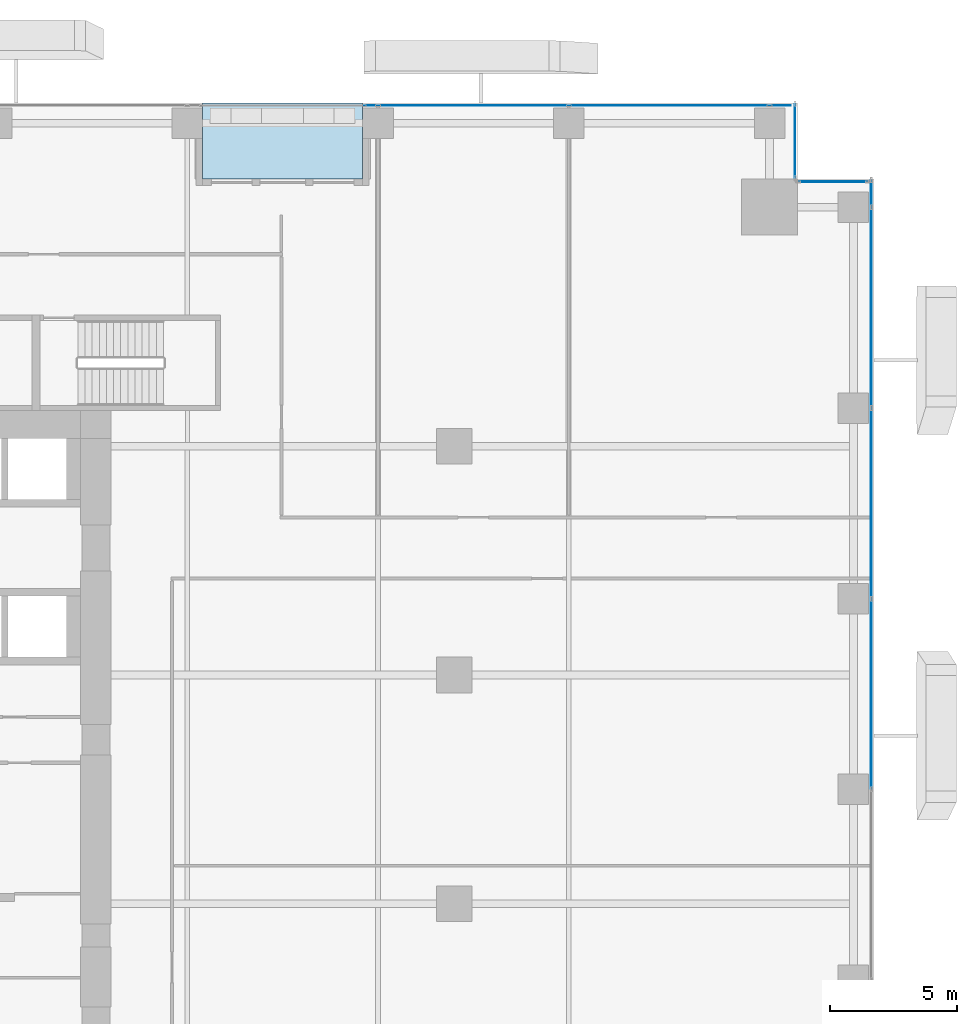
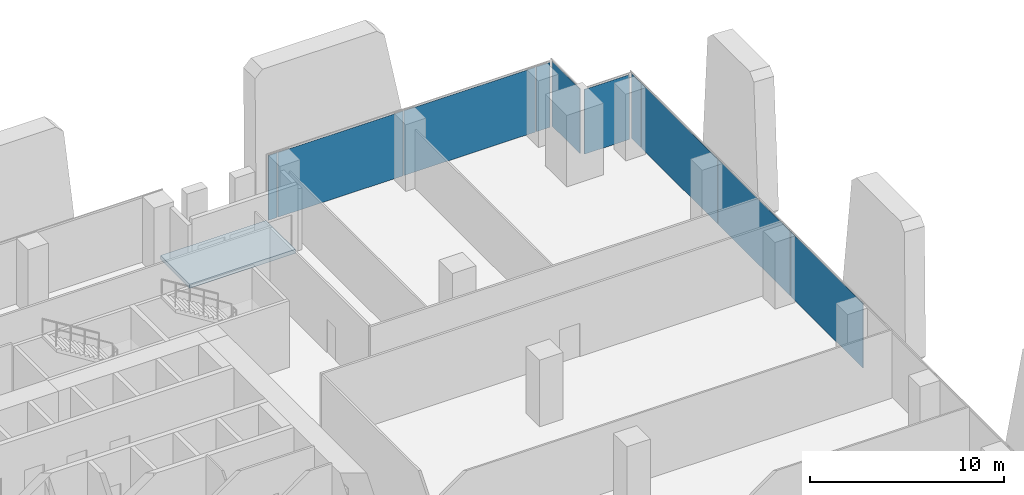
# One storey, part 26 of 34: 10 plates, 1 slab, 4 elements without a shape of their own.
"""IFC4 building model written with IfcOpenShell, lengths in metres."""

from ifc_helpers import new_model, si_unit, direction, frame, origin, origin_2d, place, context, subcontext, project, spatial, polyline, rectangle, outline, extrude, source, transform, mapped, material, layer, layer_set, type_object, element, aggregate, save


model = new_model("IFC4")

# Units and contexts
model_context = context("Model", 3, precision=1e-05, world=origin(), true_north=direction((0.0, 1.0)))
body_context = subcontext(model_context, "Body", "Model", "MODEL_VIEW")
ifc_project = project(units=[si_unit("LENGTHUNIT", "METRE"), si_unit("AREAUNIT", "SQUARE_METRE"), si_unit("VOLUMEUNIT", "CUBIC_METRE"), si_unit("PLANEANGLEUNIT", "RADIAN"), si_unit("MASSUNIT", "GRAM", prefix="KILO")], contexts=[model_context])

# Site, building, storey
site_placement = place(None, origin())
site = spatial("IfcSite", under=ifc_project, at=site_placement, CompositionType="ELEMENT")
building_placement = place(site_placement, origin())
building = spatial("IfcBuilding", under=site, at=building_placement, Name="Khomas Fold Tower", CompositionType="ELEMENT")
storey_placement = place(building_placement, frame((0.0, 0.0, 51.0)))
storey = spatial("IfcBuildingStorey", under=building, at=storey_placement, Name="L10", CompositionType="ELEMENT", Elevation=51.0)

# Curtain wall, plate
ifc_material_1 = material(Name="Aluminium framed double glazing", Category="aluminium")
curtain_wall_type = type_object("IfcCurtainWallType", Name="SK-Unitised clear-glass wall, growing floors CW1", PredefinedType="NOTDEFINED", material=ifc_material_1)
curtain_wall_1_placement = place(storey_placement, origin())
curtain_wall_1 = element("IfcCurtainWall", 1, at=curtain_wall_1_placement, inside=storey, type_object=curtain_wall_type, Name="CW1 run L10 06-0", PredefinedType="NOTDEFINED")
ifc_material_2 = material(Name="Clear double glazed unit")
ifc_layer_1 = layer(ifc_material_2, 0.031982421875)
ifc_layer_set_1 = layer_set([ifc_layer_1], Name="Clear double glazed unit")
plate_type = type_object("IfcPlateType", Name="SK-Unitised clear-glass wall, growing floors glass panel CW1-P", PredefinedType="CURTAIN_PANEL", material=ifc_layer_set_1)
shared_shape_1 = source(origin(), body_context, "Body", "SweptSolid", [
    extrude(rectangle(XDim=0.81005859375, YDim=0.031982421875, at=origin_2d()), origin(), (0.0, 0.0, 1.0), 4.080078125),
])
plate_1_placement = place(storey_placement, frame((50.3349609375, 53.89990234375, 0.0), z_axis=(0.0, 0.0, 1.0), x_axis=(-1.0, 0.0, 0.0)))
plate_1 = element("IfcPlate", 2, at=plate_1_placement, type_object=plate_type, Name="CW1 glass panel 1", PredefinedType="CURTAIN_PANEL", context=body_context, shape_type="MappedRepresentation", body=[
    mapped(shared_shape_1, transform((0.0, 0.0, 0.0))),
])

curtain_wall_2_placement = place(storey_placement, origin())
curtain_wall_2 = element("IfcCurtainWall", 3, at=curtain_wall_2_placement, inside=storey, type_object=curtain_wall_type, Name="CW1 run L10 03-0", PredefinedType="NOTDEFINED")
shared_shape_2 = source(origin(), body_context, "Body", "SweptSolid", [
    extrude(rectangle(XDim=7.840087890625, YDim=0.031982421875, at=origin_2d()), origin(), (0.0, 0.0, 1.0), 4.080078125),
])
plate_2_placement = place(storey_placement, frame((53.89990234375, 45.949951171875, 0.0), z_axis=(0.0, 0.0, 1.0), x_axis=(0.0, 1.0, 0.0)))
plate_2 = element("IfcPlate", 4, at=plate_2_placement, type_object=plate_type, Name="CW1 glass panel 7", PredefinedType="CURTAIN_PANEL", context=body_context, shape_type="MappedRepresentation", body=[
    mapped(shared_shape_2, transform((0.0, 0.0, 0.0))),
])

# Plate
plate_3_placement = place(storey_placement, frame((45.949951171875, 53.89990234375, 0.0), z_axis=(0.0, 0.0, 1.0), x_axis=(-1.0, 0.0, 0.0)))
plate_3 = element("IfcPlate", 5, at=plate_3_placement, type_object=plate_type, Name="CW1 glass panel 2", PredefinedType="CURTAIN_PANEL", context=body_context, shape_type="MappedRepresentation", body=[
    mapped(shared_shape_2, transform((0.0, 0.0, 0.0))),
])

shared_shape_3 = source(origin(), body_context, "Body", "SweptSolid", [
    extrude(rectangle(XDim=7.43994140625, YDim=0.031982421875, at=origin_2d()), origin(), (0.0, 0.0, 1.0), 4.080078125),
])
plate_4_placement = place(storey_placement, frame((53.89990234375, 30.75, 0.0), z_axis=(0.0, 0.0, 1.0), x_axis=(0.0, 1.0, 0.0)))
plate_4 = element("IfcPlate", 6, at=plate_4_placement, type_object=plate_type, Name="CW1 glass panel 5", PredefinedType="CURTAIN_PANEL", context=body_context, shape_type="MappedRepresentation", body=[
    mapped(shared_shape_3, transform((0.0, 0.0, 0.0))),
])

plate_5_placement = place(storey_placement, frame((53.89990234375, 38.25, 0.0), z_axis=(0.0, 0.0, 1.0), x_axis=(0.0, 1.0, 0.0)))
plate_5 = element("IfcPlate", 7, at=plate_5_placement, type_object=plate_type, Name="CW1 glass panel 6", PredefinedType="CURTAIN_PANEL", context=body_context, shape_type="MappedRepresentation", body=[
    mapped(shared_shape_3, transform((0.0, 0.0, 0.0))),
])

plate_6_placement = place(storey_placement, frame((38.25, 53.89990234375, 0.0), z_axis=(0.0, 0.0, 1.0), x_axis=(-1.0, 0.0, 0.0)))
plate_6 = element("IfcPlate", 8, at=plate_6_placement, type_object=plate_type, Name="CW1 glass panel 3", PredefinedType="CURTAIN_PANEL", context=body_context, shape_type="MappedRepresentation", body=[
    mapped(shared_shape_3, transform((0.0, 0.0, 0.0))),
])

shared_shape_4 = source(origin(), body_context, "Body", "SweptSolid", [
    extrude(rectangle(XDim=1.010009765625, YDim=0.031982421875, at=origin_2d()), origin(), (0.0, 0.0, 1.0), 4.080078125),
])
plate_7_placement = place(storey_placement, frame((53.89990234375, 50.43505859375, 0.0), z_axis=(0.0, 0.0, 1.0), x_axis=(0.0, 1.0, 0.0)))
plate_7 = element("IfcPlate", 9, at=plate_7_placement, type_object=plate_type, Name="CW1 glass panel 8", PredefinedType="CURTAIN_PANEL", context=body_context, shape_type="MappedRepresentation", body=[
    mapped(shared_shape_4, transform((0.0, 0.0, 0.0))),
])

aggregate(curtain_wall_2, [plate_4, plate_5, plate_2, plate_7])

# Curtain wall, plate
curtain_wall_3_placement = place(storey_placement, origin())
curtain_wall_3 = element("IfcCurtainWall", 10, at=curtain_wall_3_placement, inside=storey, type_object=curtain_wall_type, Name="CW1 corner return L10 04", PredefinedType="NOTDEFINED")
shared_shape_5 = source(origin(), body_context, "Body", "SweptSolid", [
    extrude(rectangle(XDim=2.679931640625, YDim=0.031982421875, at=origin_2d()), origin(), (0.0, 0.0, 1.0), 4.080078125),
])
plate_8_placement = place(storey_placement, frame((52.39990234375, 50.89990234375, 0.0), z_axis=(0.0, 0.0, 1.0), x_axis=(-1.0, 0.0, 0.0)))
plate_8 = element("IfcPlate", 11, at=plate_8_placement, type_object=plate_type, Name="CW1 glass panel 1", PredefinedType="CURTAIN_PANEL", context=body_context, shape_type="MappedRepresentation", body=[
    mapped(shared_shape_5, transform((0.0, 0.0, 0.0))),
])
aggregate(curtain_wall_3, [plate_8])

curtain_wall_4_placement = place(storey_placement, origin())
curtain_wall_4 = element("IfcCurtainWall", 12, at=curtain_wall_4_placement, inside=storey, type_object=curtain_wall_type, Name="CW1 corner return L10 05", PredefinedType="NOTDEFINED")
shared_shape_6 = source(origin(), body_context, "Body", "SweptSolid", [
    extrude(rectangle(XDim=2.8798828125, YDim=0.031982421875, at=origin_2d()), origin(), (0.0, 0.0, 1.0), 4.080078125),
])
plate_9_placement = place(storey_placement, frame((50.89990234375, 52.5, 0.0), z_axis=(0.0, 0.0, 1.0), x_axis=(0.0, 1.0, 0.0)))
plate_9 = element("IfcPlate", 13, at=plate_9_placement, type_object=plate_type, Name="CW1 glass panel 1", PredefinedType="CURTAIN_PANEL", context=body_context, shape_type="MappedRepresentation", body=[
    mapped(shared_shape_6, transform((0.0, 0.0, 0.0))),
])
aggregate(curtain_wall_4, [plate_9])

# Plate
shared_shape_7 = source(origin(), body_context, "Body", "SweptSolid", [
    extrude(rectangle(XDim=0.510009765625, YDim=0.031982421875, at=origin_2d()), origin(), (0.0, 0.0, 1.0), 4.080078125),
])
plate_10_placement = place(storey_placement, frame((34.215087890625, 53.89990234375, 0.0), z_axis=(0.0, 0.0, 1.0), x_axis=(-1.0, 0.0, 0.0)))
plate_10 = element("IfcPlate", 14, at=plate_10_placement, type_object=plate_type, Name="CW1 glass panel 4", PredefinedType="CURTAIN_PANEL", context=body_context, shape_type="MappedRepresentation", body=[
    mapped(shared_shape_7, transform((0.0, 0.0, 0.0))),
])

aggregate(curtain_wall_1, [plate_1, plate_3, plate_6, plate_10])

# Slab
ifc_material_3 = material(Name="Concrete C40/50", Category="concrete")
ifc_layer_2 = layer(ifc_material_3, 0.2548828125)
ifc_layer_set_2 = layer_set([ifc_layer_2], Name="Concrete C40/50")
slab_type = type_object("IfcSlabType", Name="BL-Balcony deck 255", PredefinedType="FLOOR", material=ifc_layer_set_2)
shared_shape_8 = source(origin(), body_context, "Body", "SweptSolid", [
    extrude(outline(polyline([(27.60009765625, 51.0), (33.89990234375, 51.0), (33.89990234375, 54.0), (27.60009765625, 54.0), (27.60009765625, 51.0)])), origin(), (0.0, 0.0, 1.0), 0.255126953125),
])
slab_placement = place(storey_placement, frame((0.0, 0.0, -0.300048828125)))
element("IfcSlab", 15, at=slab_placement, inside=storey, type_object=slab_type, Name="Balcony deck BAL-L10-N3", PredefinedType="FLOOR", context=body_context, shape_type="MappedRepresentation", body=[
    mapped(shared_shape_8, transform((0.0, 0.0, 0.0))),
])

save(model, "model.ifc")
